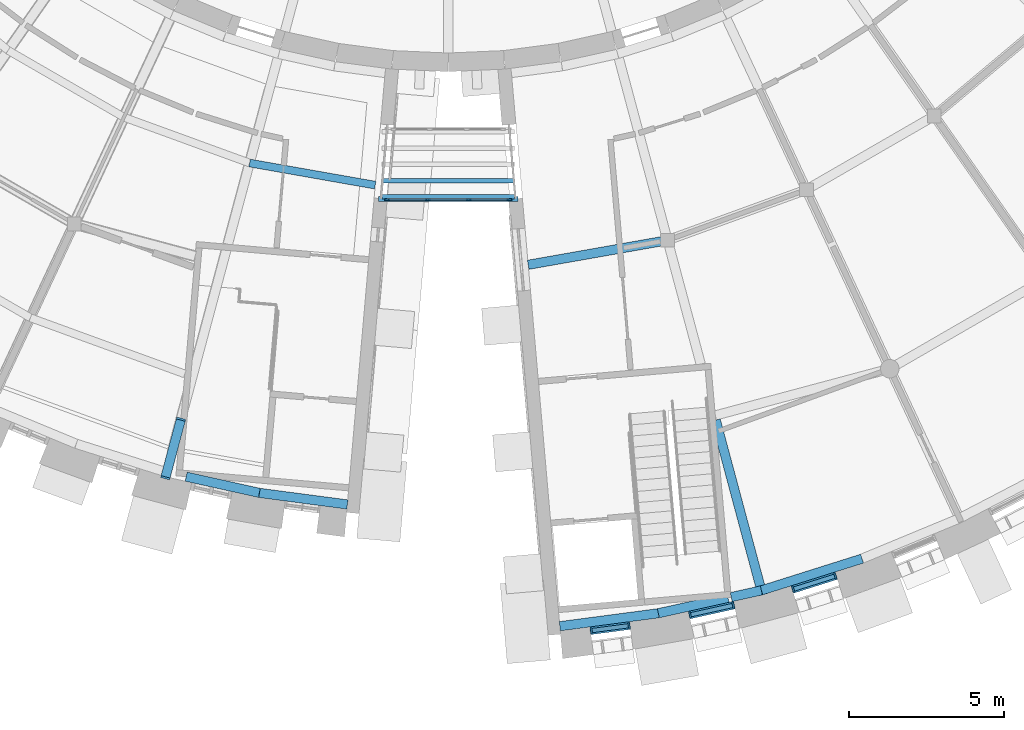
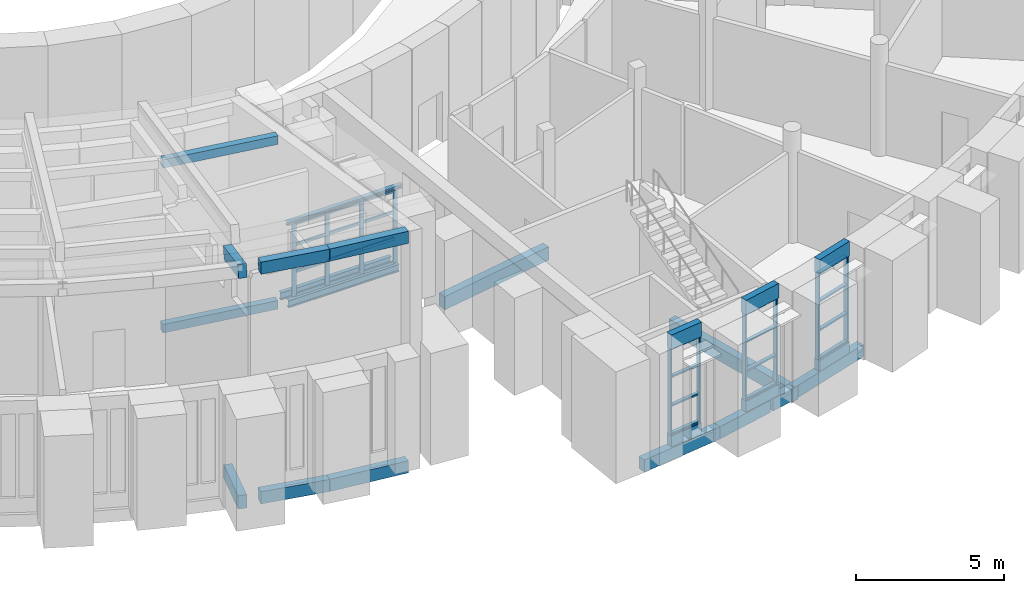
# One storey, part 5 of 66: 34 members, 23 beams, 4 elements without a shape of their own.
"""IFC4 building model written with IfcOpenShell, lengths in metres."""

from ifc_helpers import new_model, si_unit, direction, frame, origin, origin_2d, place, context, subcontext, project, spatial, rectangle, i_section, extrude, material, layer, layer_set, material_profile, profile_set, type_object, element, aggregate, save


model = new_model("IFC4")

# Units and contexts
model_context = context("Model", 3, precision=1e-05, world=origin(), true_north=direction((0.0, 1.0)))
body_context = subcontext(model_context, "Body", "Model", "MODEL_VIEW")
ifc_project = project(units=[si_unit("LENGTHUNIT", "METRE"), si_unit("AREAUNIT", "SQUARE_METRE"), si_unit("VOLUMEUNIT", "CUBIC_METRE"), si_unit("PLANEANGLEUNIT", "RADIAN"), si_unit("MASSUNIT", "GRAM", prefix="KILO")], contexts=[model_context])

# Site, building, storey
site_placement = place(None, origin())
site = spatial("IfcSite", under=ifc_project, at=site_placement, CompositionType="ELEMENT")
building_placement = place(site_placement, origin())
building = spatial("IfcBuilding", under=site, at=building_placement, Name="Volute Hill Aquarium", CompositionType="ELEMENT")
storey_placement = place(building_placement, frame((0.0, 0.0, 4.60009765625)))
storey = spatial("IfcBuildingStorey", under=building, at=storey_placement, Name="L02", CompositionType="ELEMENT", Elevation=4.60009765625)

# Beams
ifc_material_1 = material(Name="Concrete C35/45", Category="concrete")
ifc_material_profile_1 = material_profile(ifc_material_1, rectangle(XDim=0.300048828125, YDim=0.550048828125, at=origin_2d()), Name="RC beam 300x550")
ifc_profile_set_1 = profile_set([ifc_material_profile_1], Name="Concrete C35/45")
beam_type_1 = type_object("IfcBeamType", Name="Beam 300x550 C35/45", PredefinedType="BEAM", material=ifc_profile_set_1)
beam_1_placement = place(storey_placement, frame((-8.644775390625, -32.2626953125, -0.53515625), z_axis=(-0.258774639064, -0.965937723757, 0.0), x_axis=(0.965937723757, -0.258774639064, 0.0)))
element("IfcBeam", 1, at=beam_1_placement, inside=storey, type_object=beam_type_1, Name="bm/S2/L02/rad4.8", PredefinedType="BEAM", context=body_context, shape_type="SweptSolid", body=[
    extrude(rectangle(XDim=0.300048828125, YDim=0.550048828125, at=origin_2d()), origin(), (0.0, 0.0, 1.0), 1.899169921875),
])
beam_2_placement = place(storey_placement, frame((8.644775390625, -32.262939453125, -0.545166015625), z_axis=(0.258834145375, -0.965921780057, 0.0), x_axis=(0.965921780057, 0.258834145375, 0.0)))
element("IfcBeam", 2, at=beam_2_placement, inside=storey, type_object=beam_type_1, Name="bm/S3/L02/rad1.3", PredefinedType="BEAM", context=body_context, shape_type="SweptSolid", body=[
    extrude(rectangle(XDim=0.300048828125, YDim=0.550048828125, at=origin_2d()), origin(), (0.0, 0.0, 1.0), 5.848876953125),
])
beam_3_placement = place(storey_placement, frame((2.584228515625, -27.244140625, -0.545166015625), z_axis=(0.984810959113, 0.173629993984, 0.0), x_axis=(-0.173629993984, 0.984810959113, 0.0)))
element("IfcBeam", 3, at=beam_3_placement, inside=storey, type_object=beam_type_1, Name="bm/S3/L02/ring1.13", PredefinedType="BEAM", context=body_context, shape_type="SweptSolid", body=[
    extrude(rectangle(XDim=0.300048828125, YDim=0.550048828125, at=origin_2d()), origin(), (0.0, 0.0, 1.0), 4.572509765625),
])
ifc_material_2 = material(Name="Steel S355", Category="steel")
ifc_material_profile_2 = material_profile(ifc_material_2, i_section(OverallWidth=0.14990234375, OverallDepth=0.300048828125, WebThickness=0.007080078125, FlangeThickness=0.0107421875, FilletRadius=0.014892578125, at=origin_2d()), Name="IPE 300")
ifc_profile_set_2 = profile_set([ifc_material_profile_2], Name="Steel S355")
beam_type_2 = type_object("IfcBeamType", Name="Bridge deck beam IPE 300", PredefinedType="BEAM", material=ifc_profile_set_2)
for number, where, z_axis, x_axis, name in (
    (4, (-2.14892578125, -24.52490234375, -0.300048828125), (1.0, 0.0, 0.0), (0.0, 1.0, 0.0), "br/SC3/L02/db3"),
    (5, (-2.14892578125, -25.050048828125, -0.300048828125), (1.0, 0.0, 0.0), (0.0, 1.0, 0.0), "br/SC3/L02/db4"),
):
    element("IfcBeam", number, at=place(storey_placement, frame(where, z_axis=z_axis, x_axis=x_axis)), inside=storey, type_object=beam_type_2, Name=name, PredefinedType="BEAM", context=body_context, shape_type="SweptSolid", body=[
        extrude(i_section(OverallWidth=0.14990234375, OverallDepth=0.300048828125, WebThickness=0.007080078125, FlangeThickness=0.0107421875, FilletRadius=0.014892578125, at=origin_2d()), origin(), (0.0, 0.0, 1.0), 4.2978515625),
    ])

# Curtain wall, members
ifc_material_3 = material(Name="Aluminium and glass", Category="aluminium")
ifc_layer_1 = layer(ifc_material_3, 0.1201171875)
ifc_layer_set_1 = layer_set([ifc_layer_1], Name="Bridge curtain wall")
curtain_wall_type_1 = type_object("IfcCurtainWallType", Name="Bridge curtain wall", PredefinedType="NOTDEFINED", material=ifc_layer_set_1)
curtain_wall_1_placement = place(storey_placement, origin())
curtain_wall_1 = element("IfcCurtainWall", 6, at=curtain_wall_1_placement, inside=storey, type_object=curtain_wall_type_1, Name="br/SC3/L02/cwb", PredefinedType="NOTDEFINED")
ifc_material_4 = material(Name="Aluminium", Category="aluminium")
ifc_material_profile_3 = material_profile(ifc_material_4, rectangle(XDim=0.06005859375, YDim=0.159912109375, at=origin_2d()), Name="Aluminium mullion 60x160")
ifc_profile_set_3 = profile_set([ifc_material_profile_3], Name="Aluminium")
member_type_1 = type_object("IfcMemberType", Name="Bridge mullion 60x160", PredefinedType="MULLION", material=ifc_profile_set_3)
member_1_placement = place(storey_placement, frame((-1.96875, -25.139892578125, 0.0), z_axis=(0.0, 0.0, 1.0), x_axis=(0.0, 1.0, 0.0)))
member_1 = element("IfcMember", 7, at=member_1_placement, type_object=member_type_1, Name="BR5 mullion 1", PredefinedType="MULLION", context=body_context, shape_type="SweptSolid", body=[
    extrude(rectangle(XDim=0.06005859375, YDim=0.159912109375, at=origin_2d()), origin(), (0.0, 0.0, 1.0), 3.0),
])
member_2_placement = place(storey_placement, frame((-0.666259765625, -25.139892578125, 0.0), z_axis=(0.0, 0.0, 1.0), x_axis=(0.0, 1.0, 0.0)))
member_2 = element("IfcMember", 8, at=member_2_placement, type_object=member_type_1, Name="BR5 mullion 2", PredefinedType="MULLION", context=body_context, shape_type="SweptSolid", body=[
    extrude(rectangle(XDim=0.06005859375, YDim=0.159912109375, at=origin_2d()), origin(), (0.0, 0.0, 1.0), 3.0),
])
member_3_placement = place(storey_placement, frame((0.666259765625, -25.139892578125, 0.0), z_axis=(0.0, 0.0, 1.0), x_axis=(0.0, 1.0, 0.0)))
member_3 = element("IfcMember", 9, at=member_3_placement, type_object=member_type_1, Name="BR5 mullion 3", PredefinedType="MULLION", context=body_context, shape_type="SweptSolid", body=[
    extrude(rectangle(XDim=0.06005859375, YDim=0.159912109375, at=origin_2d()), origin(), (0.0, 0.0, 1.0), 3.0),
])
member_4_placement = place(storey_placement, frame((1.96875, -25.139892578125, 0.0), z_axis=(0.0, 0.0, 1.0), x_axis=(0.0, 1.0, 0.0)))
member_4 = element("IfcMember", 10, at=member_4_placement, type_object=member_type_1, Name="BR5 mullion 4", PredefinedType="MULLION", context=body_context, shape_type="SweptSolid", body=[
    extrude(rectangle(XDim=0.06005859375, YDim=0.159912109375, at=origin_2d()), origin(), (0.0, 0.0, 1.0), 3.0),
])

# Beam
ifc_material_5 = material(Name="Steel S355", Category="steel")
ifc_material_profile_4 = material_profile(ifc_material_5, i_section(OverallWidth=0.159912109375, OverallDepth=0.152099609375, WebThickness=0.006103515625, FlangeThickness=0.009033203125, FilletRadius=0.014892578125, at=origin_2d()), Name="HEA 160")
ifc_profile_set_4 = profile_set([ifc_material_profile_4], Name="Steel S355")
beam_type_3 = type_object("IfcBeamType", Name="Bridge roof edge beam HEA 160", PredefinedType="BEAM", material=ifc_profile_set_4)
beam_4_placement = place(storey_placement, frame((-2.2470703125, -25.1201171875, 3.075927734375), z_axis=(1.0, 0.0, 0.0), x_axis=(0.0, 1.0, 0.0)))
element("IfcBeam", 11, at=beam_4_placement, inside=storey, type_object=beam_type_3, Name="br/SC3/L02/rbb", PredefinedType="BEAM", context=body_context, shape_type="SweptSolid", body=[
    extrude(i_section(OverallWidth=0.159912109375, OverallDepth=0.152099609375, WebThickness=0.006103515625, FlangeThickness=0.009033203125, FilletRadius=0.014892578125, at=origin_2d()), origin(), (0.0, 0.0, 1.0), 4.494140625),
])

# Member
ifc_material_6 = material(Name="Aluminium", Category="aluminium")
ifc_material_profile_5 = material_profile(ifc_material_6, rectangle(XDim=0.06005859375, YDim=0.1201171875, at=origin_2d()), Name="Aluminium transom 60x120")
ifc_profile_set_5 = profile_set([ifc_material_profile_5], Name="Aluminium")
member_type_2 = type_object("IfcMemberType", Name="Bridge transom 60x120", PredefinedType="USERDEFINED", material=ifc_profile_set_5)
member_5_placement = place(storey_placement, frame((-1.938720703125, -25.139892578125, 0.02978515625), z_axis=(1.0, 0.0, 0.0), x_axis=(0.0, 1.0, 0.0)))
member_5 = element("IfcMember", 12, at=member_5_placement, type_object=member_type_2, Name="BR5 transom 1.1", ObjectType="TRANSOM", PredefinedType="USERDEFINED", context=body_context, shape_type="SweptSolid", body=[
    extrude(rectangle(XDim=0.06005859375, YDim=0.1201171875, at=origin_2d()), origin(), (0.0, 0.0, 1.0), 1.242431640625),
])

member_6_placement = place(storey_placement, frame((-1.938720703125, -25.139892578125, 1.0), z_axis=(1.0, 0.0, 0.0), x_axis=(0.0, 1.0, 0.0)))
member_6 = element("IfcMember", 13, at=member_6_placement, type_object=member_type_2, Name="BR5 transom 1.2", ObjectType="TRANSOM", PredefinedType="USERDEFINED", context=body_context, shape_type="SweptSolid", body=[
    extrude(rectangle(XDim=0.06005859375, YDim=0.1201171875, at=origin_2d()), origin(), (0.0, 0.0, 1.0), 1.242431640625),
])

member_7_placement = place(storey_placement, frame((-1.938720703125, -25.139892578125, 2.099853515625), z_axis=(1.0, 0.0, 0.0), x_axis=(0.0, 1.0, 0.0)))
member_7 = element("IfcMember", 14, at=member_7_placement, type_object=member_type_2, Name="BR5 transom 1.3", ObjectType="TRANSOM", PredefinedType="USERDEFINED", context=body_context, shape_type="SweptSolid", body=[
    extrude(rectangle(XDim=0.06005859375, YDim=0.1201171875, at=origin_2d()), origin(), (0.0, 0.0, 1.0), 1.242431640625),
])

member_8_placement = place(storey_placement, frame((-1.938720703125, -25.139892578125, 2.969970703125), z_axis=(1.0, 0.0, 0.0), x_axis=(0.0, 1.0, 0.0)))
member_8 = element("IfcMember", 15, at=member_8_placement, type_object=member_type_2, Name="BR5 transom 1.4", ObjectType="TRANSOM", PredefinedType="USERDEFINED", context=body_context, shape_type="SweptSolid", body=[
    extrude(rectangle(XDim=0.06005859375, YDim=0.1201171875, at=origin_2d()), origin(), (0.0, 0.0, 1.0), 1.242431640625),
])

member_9_placement = place(storey_placement, frame((-0.63623046875, -25.139892578125, 0.02978515625), z_axis=(1.0, 0.0, 0.0), x_axis=(0.0, 1.0, 0.0)))
member_9 = element("IfcMember", 16, at=member_9_placement, type_object=member_type_2, Name="BR5 transom 2.1", ObjectType="TRANSOM", PredefinedType="USERDEFINED", context=body_context, shape_type="SweptSolid", body=[
    extrude(rectangle(XDim=0.06005859375, YDim=0.1201171875, at=origin_2d()), origin(), (0.0, 0.0, 1.0), 1.2724609375),
])

member_10_placement = place(storey_placement, frame((-0.63623046875, -25.139892578125, 1.0), z_axis=(1.0, 0.0, 0.0), x_axis=(0.0, 1.0, 0.0)))
member_10 = element("IfcMember", 17, at=member_10_placement, type_object=member_type_2, Name="BR5 transom 2.2", ObjectType="TRANSOM", PredefinedType="USERDEFINED", context=body_context, shape_type="SweptSolid", body=[
    extrude(rectangle(XDim=0.06005859375, YDim=0.1201171875, at=origin_2d()), origin(), (0.0, 0.0, 1.0), 1.2724609375),
])

member_11_placement = place(storey_placement, frame((-0.63623046875, -25.139892578125, 2.099853515625), z_axis=(1.0, 0.0, 0.0), x_axis=(0.0, 1.0, 0.0)))
member_11 = element("IfcMember", 18, at=member_11_placement, type_object=member_type_2, Name="BR5 transom 2.3", ObjectType="TRANSOM", PredefinedType="USERDEFINED", context=body_context, shape_type="SweptSolid", body=[
    extrude(rectangle(XDim=0.06005859375, YDim=0.1201171875, at=origin_2d()), origin(), (0.0, 0.0, 1.0), 1.2724609375),
])

member_12_placement = place(storey_placement, frame((-0.63623046875, -25.139892578125, 2.969970703125), z_axis=(1.0, 0.0, 0.0), x_axis=(0.0, 1.0, 0.0)))
member_12 = element("IfcMember", 19, at=member_12_placement, type_object=member_type_2, Name="BR5 transom 2.4", ObjectType="TRANSOM", PredefinedType="USERDEFINED", context=body_context, shape_type="SweptSolid", body=[
    extrude(rectangle(XDim=0.06005859375, YDim=0.1201171875, at=origin_2d()), origin(), (0.0, 0.0, 1.0), 1.2724609375),
])

member_13_placement = place(storey_placement, frame((0.6962890625, -25.139892578125, 0.02978515625), z_axis=(1.0, 0.0, 0.0), x_axis=(0.0, 1.0, 0.0)))
member_13 = element("IfcMember", 20, at=member_13_placement, type_object=member_type_2, Name="BR5 transom 3.1", ObjectType="TRANSOM", PredefinedType="USERDEFINED", context=body_context, shape_type="SweptSolid", body=[
    extrude(rectangle(XDim=0.06005859375, YDim=0.1201171875, at=origin_2d()), origin(), (0.0, 0.0, 1.0), 1.242431640625),
])

member_14_placement = place(storey_placement, frame((0.6962890625, -25.139892578125, 1.0), z_axis=(1.0, 0.0, 0.0), x_axis=(0.0, 1.0, 0.0)))
member_14 = element("IfcMember", 21, at=member_14_placement, type_object=member_type_2, Name="BR5 transom 3.2", ObjectType="TRANSOM", PredefinedType="USERDEFINED", context=body_context, shape_type="SweptSolid", body=[
    extrude(rectangle(XDim=0.06005859375, YDim=0.1201171875, at=origin_2d()), origin(), (0.0, 0.0, 1.0), 1.242431640625),
])

member_15_placement = place(storey_placement, frame((0.6962890625, -25.139892578125, 2.099853515625), z_axis=(1.0, 0.0, 0.0), x_axis=(0.0, 1.0, 0.0)))
member_15 = element("IfcMember", 22, at=member_15_placement, type_object=member_type_2, Name="BR5 transom 3.3", ObjectType="TRANSOM", PredefinedType="USERDEFINED", context=body_context, shape_type="SweptSolid", body=[
    extrude(rectangle(XDim=0.06005859375, YDim=0.1201171875, at=origin_2d()), origin(), (0.0, 0.0, 1.0), 1.242431640625),
])

member_16_placement = place(storey_placement, frame((0.6962890625, -25.139892578125, 2.969970703125), z_axis=(1.0, 0.0, 0.0), x_axis=(0.0, 1.0, 0.0)))
member_16 = element("IfcMember", 23, at=member_16_placement, type_object=member_type_2, Name="BR5 transom 3.4", ObjectType="TRANSOM", PredefinedType="USERDEFINED", context=body_context, shape_type="SweptSolid", body=[
    extrude(rectangle(XDim=0.06005859375, YDim=0.1201171875, at=origin_2d()), origin(), (0.0, 0.0, 1.0), 1.242431640625),
])

aggregate(curtain_wall_1, [member_1, member_2, member_3, member_4, member_5, member_6, member_7, member_8, member_9, member_10, member_11, member_12, member_13, member_14, member_15, member_16])

# Curtain wall, members
ifc_material_7 = material(Name="Aluminium", Category="aluminium")
ifc_layer_2 = layer(ifc_material_7, 0.25)
ifc_layer_set_2 = layer_set([ifc_layer_2], Name="Curtain wall niche S3 module 1289")
curtain_wall_type_2 = type_object("IfcCurtainWallType", Name="Curtain wall niche S3 module 1289", PredefinedType="NOTDEFINED", material=ifc_layer_set_2)
curtain_wall_2_placement = place(storey_placement, origin())
curtain_wall_2 = element("IfcCurtainWall", 24, at=curtain_wall_2_placement, inside=storey, type_object=curtain_wall_type_2, Name="Curtain wall CW S3 L02 1", PredefinedType="NOTDEFINED")
ifc_material_8 = material(Name="Aluminium", Category="aluminium")
ifc_material_profile_6 = material_profile(ifc_material_8, rectangle(XDim=0.179931640625, YDim=0.06005859375, at=origin_2d()), Name="Curtain wall mullion S3 60x180")
ifc_profile_set_6 = profile_set([ifc_material_profile_6], Name="Aluminium")
member_type_3 = type_object("IfcMemberType", Name="Curtain wall mullion S3 60x180", PredefinedType="MULLION", material=ifc_profile_set_6)
member_17_placement = place(storey_placement, frame((4.62451171875, -39.06787109375, 0.449951171875), z_axis=(0.0, 0.0, 1.0), x_axis=(-0.130506486875, 0.991447455432, 0.0)))
member_17 = element("IfcMember", 25, at=member_17_placement, type_object=member_type_3, Name="CW mullion 1", PredefinedType="MULLION", context=body_context, shape_type="SweptSolid", body=[
    extrude(rectangle(XDim=0.179931640625, YDim=0.06005859375, at=origin_2d()), origin(), (0.0, 0.0, 1.0), 3.550048828125),
])
member_18_placement = place(storey_placement, frame((5.843017578125, -38.907470703125, 0.449951171875), z_axis=(0.0, 0.0, 1.0), x_axis=(-0.130506486875, 0.991447455432, 0.0)))
member_18 = element("IfcMember", 26, at=member_18_placement, type_object=member_type_3, Name="CW mullion 2", PredefinedType="MULLION", context=body_context, shape_type="SweptSolid", body=[
    extrude(rectangle(XDim=0.179931640625, YDim=0.06005859375, at=origin_2d()), origin(), (0.0, 0.0, 1.0), 3.550048828125),
])

ifc_material_9 = material(Name="Aluminium", Category="aluminium")
ifc_layer_3 = layer(ifc_material_9, 0.25)
ifc_layer_set_3 = layer_set([ifc_layer_3], Name="Curtain wall niche S3 module 1489")
curtain_wall_type_3 = type_object("IfcCurtainWallType", Name="Curtain wall niche S3 module 1489", PredefinedType="NOTDEFINED", material=ifc_layer_set_3)
curtain_wall_3_placement = place(storey_placement, origin())
curtain_wall_3 = element("IfcCurtainWall", 27, at=curtain_wall_3_placement, inside=storey, type_object=curtain_wall_type_3, Name="Curtain wall CW S3 L02 2", PredefinedType="NOTDEFINED")
member_19_placement = place(storey_placement, frame((7.81640625, -38.5595703125, 0.449951171875), z_axis=(0.0, 0.0, 1.0), x_axis=(-0.216429178819, 0.976298320472, 0.0)))
member_19 = element("IfcMember", 28, at=member_19_placement, type_object=member_type_3, Name="CW mullion 1", PredefinedType="MULLION", context=body_context, shape_type="SweptSolid", body=[
    extrude(rectangle(XDim=0.179931640625, YDim=0.06005859375, at=origin_2d()), origin(), (0.0, 0.0, 1.0), 3.550048828125),
])
member_20_placement = place(storey_placement, frame((9.211669921875, -38.250244140625, 0.449951171875), z_axis=(0.0, 0.0, 1.0), x_axis=(-0.216429178819, 0.976298320472, 0.0)))
member_20 = element("IfcMember", 29, at=member_20_placement, type_object=member_type_3, Name="CW mullion 2", PredefinedType="MULLION", context=body_context, shape_type="SweptSolid", body=[
    extrude(rectangle(XDim=0.179931640625, YDim=0.06005859375, at=origin_2d()), origin(), (0.0, 0.0, 1.0), 3.550048828125),
])

curtain_wall_4_placement = place(storey_placement, origin())
curtain_wall_4 = element("IfcCurtainWall", 30, at=curtain_wall_4_placement, inside=storey, type_object=curtain_wall_type_3, Name="Curtain wall CW S3 L02 3", PredefinedType="NOTDEFINED")
member_21_placement = place(storey_placement, frame((11.147216796875, -37.7314453125, 0.449951171875), z_axis=(0.0, 0.0, 1.0), x_axis=(-0.300712597453, 0.953714807337, 0.0)))
member_21 = element("IfcMember", 31, at=member_21_placement, type_object=member_type_3, Name="CW mullion 1", PredefinedType="MULLION", context=body_context, shape_type="SweptSolid", body=[
    extrude(rectangle(XDim=0.179931640625, YDim=0.06005859375, at=origin_2d()), origin(), (0.0, 0.0, 1.0), 3.550048828125),
])
member_22_placement = place(storey_placement, frame((12.510498046875, -37.3017578125, 0.449951171875), z_axis=(0.0, 0.0, 1.0), x_axis=(-0.300712597453, 0.953714807337, 0.0)))
member_22 = element("IfcMember", 32, at=member_22_placement, type_object=member_type_3, Name="CW mullion 2", PredefinedType="MULLION", context=body_context, shape_type="SweptSolid", body=[
    extrude(rectangle(XDim=0.179931640625, YDim=0.06005859375, at=origin_2d()), origin(), (0.0, 0.0, 1.0), 3.550048828125),
])

# Member
ifc_material_10 = material(Name="Aluminium", Category="aluminium")
ifc_material_profile_7 = material_profile(ifc_material_10, rectangle(XDim=0.139892578125, YDim=0.06005859375, at=origin_2d()), Name="Curtain wall transom S3 60x140")
ifc_profile_set_7 = profile_set([ifc_material_profile_7], Name="Aluminium")
member_type_4 = type_object("IfcMemberType", Name="Curtain wall transom S3 60x140", PredefinedType="USERDEFINED", material=ifc_profile_set_7)
member_23_placement = place(storey_placement, frame((4.654296875, -39.06396484375, 0.47998046875), z_axis=(0.991443629013, 0.130535552588, 0.0), x_axis=(-0.130535552588, 0.991443629013, 0.0)))
member_23 = element("IfcMember", 33, at=member_23_placement, type_object=member_type_4, Name="CW transom 1.1", ObjectType="TRANSOM", PredefinedType="USERDEFINED", context=body_context, shape_type="SweptSolid", body=[
    extrude(rectangle(XDim=0.139892578125, YDim=0.06005859375, at=origin_2d()), origin(), (0.0, 0.0, 1.0), 1.1689453125),
])

member_24_placement = place(storey_placement, frame((4.654296875, -39.06396484375, 1.63330078125), z_axis=(0.991443629013, 0.130535552588, 0.0), x_axis=(-0.130535552588, 0.991443629013, 0.0)))
member_24 = element("IfcMember", 34, at=member_24_placement, type_object=member_type_4, Name="CW transom 1.2", ObjectType="TRANSOM", PredefinedType="USERDEFINED", context=body_context, shape_type="SweptSolid", body=[
    extrude(rectangle(XDim=0.139892578125, YDim=0.06005859375, at=origin_2d()), origin(), (0.0, 0.0, 1.0), 1.1689453125),
])

member_25_placement = place(storey_placement, frame((4.654296875, -39.06396484375, 2.816650390625), z_axis=(0.991443629013, 0.130535552588, 0.0), x_axis=(-0.130535552588, 0.991443629013, 0.0)))
member_25 = element("IfcMember", 35, at=member_25_placement, type_object=member_type_4, Name="CW transom 1.3", ObjectType="TRANSOM", PredefinedType="USERDEFINED", context=body_context, shape_type="SweptSolid", body=[
    extrude(rectangle(XDim=0.139892578125, YDim=0.06005859375, at=origin_2d()), origin(), (0.0, 0.0, 1.0), 1.1689453125),
])

member_26_placement = place(storey_placement, frame((4.654296875, -39.06396484375, 3.969970703125), z_axis=(0.991443629013, 0.130535552588, 0.0), x_axis=(-0.130535552588, 0.991443629013, 0.0)))
member_26 = element("IfcMember", 36, at=member_26_placement, type_object=member_type_4, Name="CW transom 1.4", ObjectType="TRANSOM", PredefinedType="USERDEFINED", context=body_context, shape_type="SweptSolid", body=[
    extrude(rectangle(XDim=0.139892578125, YDim=0.06005859375, at=origin_2d()), origin(), (0.0, 0.0, 1.0), 1.1689453125),
])

aggregate(curtain_wall_2, [member_17, member_18, member_23, member_24, member_25, member_26])

member_27_placement = place(storey_placement, frame((7.845703125, -38.552978515625, 0.47998046875), z_axis=(0.976287651886, 0.216477298519, 0.0), x_axis=(-0.216477298519, 0.976287651886, 0.0)))
member_27 = element("IfcMember", 37, at=member_27_placement, type_object=member_type_4, Name="CW transom 1.1", ObjectType="TRANSOM", PredefinedType="USERDEFINED", context=body_context, shape_type="SweptSolid", body=[
    extrude(rectangle(XDim=0.139892578125, YDim=0.06005859375, at=origin_2d()), origin(), (0.0, 0.0, 1.0), 1.369140625),
])

member_28_placement = place(storey_placement, frame((7.845703125, -38.552978515625, 1.63330078125), z_axis=(0.976287651886, 0.216477298519, 0.0), x_axis=(-0.216477298519, 0.976287651886, 0.0)))
member_28 = element("IfcMember", 38, at=member_28_placement, type_object=member_type_4, Name="CW transom 1.2", ObjectType="TRANSOM", PredefinedType="USERDEFINED", context=body_context, shape_type="SweptSolid", body=[
    extrude(rectangle(XDim=0.139892578125, YDim=0.06005859375, at=origin_2d()), origin(), (0.0, 0.0, 1.0), 1.369140625),
])

member_29_placement = place(storey_placement, frame((7.845703125, -38.552978515625, 2.816650390625), z_axis=(0.976287651886, 0.216477298519, 0.0), x_axis=(-0.216477298519, 0.976287651886, 0.0)))
member_29 = element("IfcMember", 39, at=member_29_placement, type_object=member_type_4, Name="CW transom 1.3", ObjectType="TRANSOM", PredefinedType="USERDEFINED", context=body_context, shape_type="SweptSolid", body=[
    extrude(rectangle(XDim=0.139892578125, YDim=0.06005859375, at=origin_2d()), origin(), (0.0, 0.0, 1.0), 1.369140625),
])

member_30_placement = place(storey_placement, frame((7.845703125, -38.552978515625, 3.969970703125), z_axis=(0.976287651886, 0.216477298519, 0.0), x_axis=(-0.216477298519, 0.976287651886, 0.0)))
member_30 = element("IfcMember", 40, at=member_30_placement, type_object=member_type_4, Name="CW transom 1.4", ObjectType="TRANSOM", PredefinedType="USERDEFINED", context=body_context, shape_type="SweptSolid", body=[
    extrude(rectangle(XDim=0.139892578125, YDim=0.06005859375, at=origin_2d()), origin(), (0.0, 0.0, 1.0), 1.369140625),
])

aggregate(curtain_wall_3, [member_19, member_20, member_27, member_28, member_29, member_30])

member_31_placement = place(storey_placement, frame((11.176025390625, -37.722412109375, 0.47998046875), z_axis=(0.953728095538, 0.300670450463, 0.0), x_axis=(-0.300670450463, 0.953728095538, 0.0)))
member_31 = element("IfcMember", 41, at=member_31_placement, type_object=member_type_4, Name="CW transom 1.1", ObjectType="TRANSOM", PredefinedType="USERDEFINED", context=body_context, shape_type="SweptSolid", body=[
    extrude(rectangle(XDim=0.139892578125, YDim=0.06005859375, at=origin_2d()), origin(), (0.0, 0.0, 1.0), 1.368896484375),
])

member_32_placement = place(storey_placement, frame((11.176025390625, -37.722412109375, 1.63330078125), z_axis=(0.953728095538, 0.300670450463, 0.0), x_axis=(-0.300670450463, 0.953728095538, 0.0)))
member_32 = element("IfcMember", 42, at=member_32_placement, type_object=member_type_4, Name="CW transom 1.2", ObjectType="TRANSOM", PredefinedType="USERDEFINED", context=body_context, shape_type="SweptSolid", body=[
    extrude(rectangle(XDim=0.139892578125, YDim=0.06005859375, at=origin_2d()), origin(), (0.0, 0.0, 1.0), 1.368896484375),
])

member_33_placement = place(storey_placement, frame((11.176025390625, -37.722412109375, 2.816650390625), z_axis=(0.953728095538, 0.300670450463, 0.0), x_axis=(-0.300670450463, 0.953728095538, 0.0)))
member_33 = element("IfcMember", 43, at=member_33_placement, type_object=member_type_4, Name="CW transom 1.3", ObjectType="TRANSOM", PredefinedType="USERDEFINED", context=body_context, shape_type="SweptSolid", body=[
    extrude(rectangle(XDim=0.139892578125, YDim=0.06005859375, at=origin_2d()), origin(), (0.0, 0.0, 1.0), 1.368896484375),
])

member_34_placement = place(storey_placement, frame((11.176025390625, -37.722412109375, 3.969970703125), z_axis=(0.953728095538, 0.300670450463, 0.0), x_axis=(-0.300670450463, 0.953728095538, 0.0)))
member_34 = element("IfcMember", 44, at=member_34_placement, type_object=member_type_4, Name="CW transom 1.4", ObjectType="TRANSOM", PredefinedType="USERDEFINED", context=body_context, shape_type="SweptSolid", body=[
    extrude(rectangle(XDim=0.139892578125, YDim=0.06005859375, at=origin_2d()), origin(), (0.0, 0.0, 1.0), 1.368896484375),
])

aggregate(curtain_wall_4, [member_21, member_22, member_31, member_32, member_33, member_34])

# Beams
ifc_material_11 = material(Name="Concrete C35/45", Category="concrete")
ifc_material_profile_8 = material_profile(ifc_material_11, rectangle(XDim=0.300048828125, YDim=0.5, at=origin_2d()), Name="RC edge beam 300x500")
ifc_profile_set_8 = profile_set([ifc_material_profile_8], Name="Concrete C35/45")
beam_type_4 = type_object("IfcBeamType", Name="Edge beam 300x500 C35/45", PredefinedType="BEAM", material=ifc_profile_set_8)
beam_5_placement = place(storey_placement, frame((-8.46826171875, -34.091796875, -0.510009765625), z_axis=(0.976298409983, -0.216428775037, 0.0), x_axis=(0.216428775037, 0.976298409983, 0.0)))
element("IfcBeam", 45, at=beam_5_placement, inside=storey, type_object=beam_type_4, Name="bm/S2/L02/edgeO.30", PredefinedType="BEAM", context=body_context, shape_type="SweptSolid", body=[
    extrude(rectangle(XDim=0.300048828125, YDim=0.5, at=origin_2d()), origin(), (0.0, 0.0, 1.0), 2.421875),
])
beam_6_placement = place(storey_placement, frame((-6.103759765625, -34.615966796875, -0.510009765625), z_axis=(0.991449656327, -0.130489765764, 0.0), x_axis=(0.130489765764, 0.991449656327, 0.0)))
element("IfcBeam", 46, at=beam_6_placement, inside=storey, type_object=beam_type_4, Name="bm/S2/L02/edgeO.31", PredefinedType="BEAM", context=body_context, shape_type="SweptSolid", body=[
    extrude(rectangle(XDim=0.300048828125, YDim=0.5, at=origin_2d()), origin(), (0.0, 0.0, 1.0), 2.8662109375),
])
beam_7_placement = place(storey_placement, frame((-8.46826171875, -34.091796875, 8.936767578125), z_axis=(0.97623729838, -0.216415227633, 0.011188677348), x_axis=(0.216428775037, 0.976298409983, 0.0)))
element("IfcBeam", 47, at=beam_7_placement, inside=storey, type_object=beam_type_4, Name="rb/S2/L02/edgeO.30", PredefinedType="BEAM", context=body_context, shape_type="SweptSolid", body=[
    extrude(rectangle(XDim=0.300048828125, YDim=0.5, at=origin_2d()), origin(), (0.0, 0.0, 1.0), 2.422119140625),
])
beam_8_placement = place(storey_placement, frame((-6.103759765625, -34.615966796875, 8.9638671875), z_axis=(0.991386997432, -0.130481518906, -0.011242532961), x_axis=(0.130489765764, 0.991449656327, 0.0)))
element("IfcBeam", 48, at=beam_8_placement, inside=storey, type_object=beam_type_4, Name="rb/S2/L02/edgeO.31", PredefinedType="BEAM", context=body_context, shape_type="SweptSolid", body=[
    extrude(rectangle(XDim=0.300048828125, YDim=0.5, at=origin_2d()), origin(), (0.0, 0.0, 1.0), 2.866455078125),
])
beam_9_placement = place(storey_placement, frame((3.606201171875, -38.925048828125, -0.52001953125), z_axis=(0.991441091468, 0.1305548243, 0.0), x_axis=(-0.1305548243, 0.991441091468, 0.0)))
element("IfcBeam", 49, at=beam_9_placement, inside=storey, type_object=beam_type_4, Name="bm/S3/L02/edgeO.31", PredefinedType="BEAM", context=body_context, shape_type="SweptSolid", body=[
    extrude(rectangle(XDim=0.300048828125, YDim=0.5, at=origin_2d()), origin(), (0.0, 0.0, 1.0), 3.2109375),
])
beam_10_placement = place(storey_placement, frame((6.78955078125, -38.505859375, -0.52001953125), z_axis=(0.976298987217, 0.21642617115, 0.0), x_axis=(-0.21642617115, 0.976298987217, 0.0)))
element("IfcBeam", 50, at=beam_10_placement, inside=storey, type_object=beam_type_4, Name="bm/S3/L02/edgeO.32", PredefinedType="BEAM", context=body_context, shape_type="SweptSolid", body=[
    extrude(rectangle(XDim=0.300048828125, YDim=0.5, at=origin_2d()), origin(), (0.0, 0.0, 1.0), 2.306884765625),
])
beam_11_placement = place(storey_placement, frame((9.145263671875, -37.983642578125, -0.52001953125), z_axis=(0.976296270331, 0.216438426664, 0.0), x_axis=(-0.216438426664, 0.976296270331, 0.0)))
element("IfcBeam", 51, at=beam_11_placement, inside=storey, type_object=beam_type_4, Name="bm/S3/L02/edgeO.33", PredefinedType="BEAM", context=body_context, shape_type="SweptSolid", body=[
    extrude(rectangle(XDim=0.300048828125, YDim=0.5, at=origin_2d()), origin(), (0.0, 0.0, 1.0), 0.998291015625),
])
beam_12_placement = place(storey_placement, frame((10.119873046875, -37.767578125, -0.52001953125), z_axis=(0.953697264074, 0.300768230534, 0.0), x_axis=(-0.300768230534, 0.953697264074, 0.0)))
element("IfcBeam", 52, at=beam_12_placement, inside=storey, type_object=beam_type_4, Name="bm/S3/L02/edgeO.34", PredefinedType="BEAM", context=body_context, shape_type="SweptSolid", body=[
    extrude(rectangle(XDim=0.300048828125, YDim=0.5, at=origin_2d()), origin(), (0.0, 0.0, 1.0), 3.410888671875),
])
ifc_material_12 = material(Name="Concrete C35/45", Category="concrete")
ifc_material_profile_9 = material_profile(ifc_material_12, rectangle(XDim=0.25, YDim=0.35009765625, at=origin_2d()), Name="RC joist 250x350")
ifc_profile_set_9 = profile_set([ifc_material_profile_9], Name="Concrete C35/45")
beam_type_5 = type_object("IfcBeamType", Name="Joist 250x350 C35/45", PredefinedType="BEAM", material=ifc_profile_set_9)
for number, where, z_axis, x_axis, name in (
    (53, (-6.418701171875, -23.955078125, -0.43505859375), (0.984817525638, -0.173592745228, 0.0), (0.173592745228, 0.984817525638, 0.0), "bm/S2/L02/jst5"),
    (54, (-6.418701171875, -23.955078125, 6.343505859375), (0.984817525638, -0.173592745228, 0.0), (0.173592745228, 0.984817525638, 0.0), "rb/S2/L02/jst5"),
):
    element("IfcBeam", number, at=place(storey_placement, frame(where, z_axis=z_axis, x_axis=x_axis)), inside=storey, type_object=beam_type_5, Name=name, PredefinedType="BEAM", context=body_context, shape_type="SweptSolid", body=[
        extrude(rectangle(XDim=0.25, YDim=0.35009765625, at=origin_2d()), origin(), (0.0, 0.0, 1.0), 4.1220703125),
    ])
ifc_material_13 = material(Name="Concrete C35/45", Category="concrete")
ifc_material_profile_10 = material_profile(ifc_material_13, rectangle(XDim=0.25, YDim=0.60009765625, at=origin_2d()), Name="RC beam 250x600")
ifc_profile_set_10 = profile_set([ifc_material_profile_10], Name="Concrete C35/45")
beam_type_6 = type_object("IfcBeamType", Name="Niche head beam RC 250x600 C35/45", PredefinedType="BEAM", material=ifc_profile_set_10)
beam_13_placement = place(storey_placement, frame((4.5947265625, -39.07177734375, 4.2998046875), z_axis=(0.991449782625, 0.130488806156, 0.0), x_axis=(-0.130488806156, 0.991449782625, 0.0)))
element("IfcBeam", 55, at=beam_13_placement, inside=storey, type_object=beam_type_6, Name="Niche head beam OWB S3 L02 1", PredefinedType="BEAM", context=body_context, shape_type="SweptSolid", body=[
    extrude(rectangle(XDim=0.25, YDim=0.60009765625, at=origin_2d()), origin(), (0.0, 0.0, 1.0), 1.2890625),
])
for number, where, z_axis, x_axis, name in (
    (56, (7.787109375, -38.56591796875, 4.2998046875), (0.976302648363, 0.216409655053, 0.0), (-0.216409655053, 0.976302648363, 0.0), "Niche head beam OWB S3 L02 2"),
    (57, (11.11865234375, -37.740478515625, 4.2998046875), (0.953736146643, 0.300644911128, 0.0), (-0.300644911128, 0.953736146643, 0.0), "Niche head beam OWB S3 L02 3"),
):
    element("IfcBeam", number, at=place(storey_placement, frame(where, z_axis=z_axis, x_axis=x_axis)), inside=storey, type_object=beam_type_6, Name=name, PredefinedType="BEAM", context=body_context, shape_type="SweptSolid", body=[
        extrude(rectangle(XDim=0.25, YDim=0.60009765625, at=origin_2d()), origin(), (0.0, 0.0, 1.0), 1.4892578125),
    ])
ifc_material_14 = material(Name="Concrete C35/45", Category="concrete")
ifc_material_profile_11 = material_profile(ifc_material_14, rectangle(XDim=0.25, YDim=0.449951171875, at=origin_2d()), Name="RC beam 250x450")
ifc_profile_set_11 = profile_set([ifc_material_profile_11], Name="Concrete C35/45")
beam_type_7 = type_object("IfcBeamType", Name="Niche sill beam RC 250x450 C35/45", PredefinedType="BEAM", material=ifc_profile_set_11)
beam_14_placement = place(storey_placement, frame((4.5947265625, -39.07177734375, 0.224853515625), z_axis=(0.991449782625, 0.130488806156, 0.0), x_axis=(-0.130488806156, 0.991449782625, 0.0)))
element("IfcBeam", 58, at=beam_14_placement, inside=storey, type_object=beam_type_7, Name="Niche sill beam OWB S3 L02 1", PredefinedType="BEAM", context=body_context, shape_type="SweptSolid", body=[
    extrude(rectangle(XDim=0.25, YDim=0.449951171875, at=origin_2d()), origin(), (0.0, 0.0, 1.0), 1.2890625),
])
for number, where, z_axis, x_axis, name in (
    (59, (7.787109375, -38.56591796875, 0.224853515625), (0.976302648363, 0.216409655053, 0.0), (-0.216409655053, 0.976302648363, 0.0), "Niche sill beam OWB S3 L02 2"),
    (60, (11.11865234375, -37.740478515625, 0.224853515625), (0.953736146643, 0.300644911128, 0.0), (-0.300644911128, 0.953736146643, 0.0), "Niche sill beam OWB S3 L02 3"),
):
    element("IfcBeam", number, at=place(storey_placement, frame(where, z_axis=z_axis, x_axis=x_axis)), inside=storey, type_object=beam_type_7, Name=name, PredefinedType="BEAM", context=body_context, shape_type="SweptSolid", body=[
        extrude(rectangle(XDim=0.25, YDim=0.449951171875, at=origin_2d()), origin(), (0.0, 0.0, 1.0), 1.4892578125),
    ])
ifc_material_15 = material(Name="Concrete C35/45", Category="concrete")
ifc_material_profile_12 = material_profile(ifc_material_15, rectangle(XDim=0.300048828125, YDim=0.5, at=origin_2d()), Name="RC rib 300x500")
ifc_profile_set_12 = profile_set([ifc_material_profile_12], Name="Concrete C35/45")
beam_type_8 = type_object("IfcBeamType", Name="Roof rib 300x500 C35/45", PredefinedType="BEAM", material=ifc_profile_set_12)
beam_15_placement = place(storey_placement, frame((-8.644775390625, -32.2626953125, 8.4716796875), z_axis=(-0.250623790023, -0.935512746267, 0.24900525586), x_axis=(0.965937723757, -0.258774639064, 0.0)))
element("IfcBeam", 61, at=beam_15_placement, inside=storey, type_object=beam_type_8, Name="rb/S2/L02/rib4.8", PredefinedType="BEAM", context=body_context, shape_type="SweptSolid", body=[
    extrude(rectangle(XDim=0.300048828125, YDim=0.5, at=origin_2d()), origin(), (0.0, 0.0, 1.0), 1.9609375),
])

save(model, "model.ifc")
